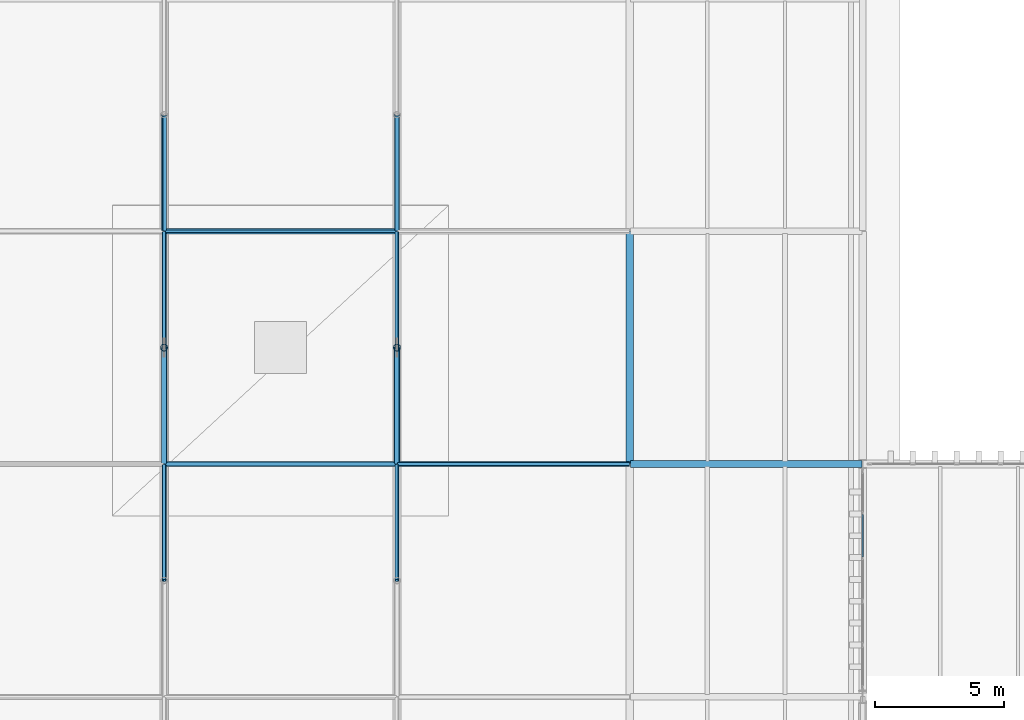
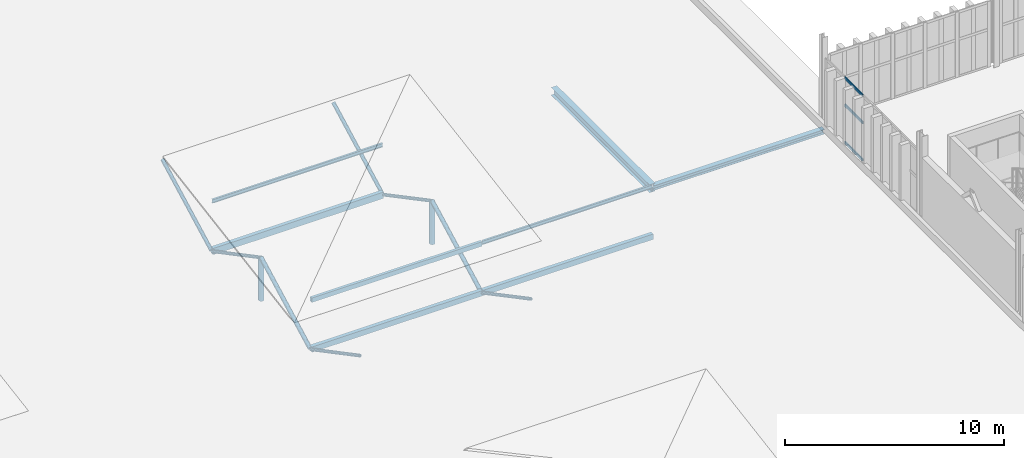
# One storey, part 96 of 196: 19 members, 2 beams, 1 element without a shape of its own.
"""IFC4 building model written with IfcOpenShell, lengths in metres."""

from ifc_helpers import new_model, si_unit, direction, frame, origin, origin_2d, place, context, subcontext, project, spatial, hollow_rectangle, hollow_circle, i_section, extrude, material, layer, layer_set, material_profile, profile_set, type_object, element, aggregate, save


model = new_model("IFC4")

# Units and contexts
model_context = context("Model", 3, precision=1e-05, world=origin(), true_north=direction((0.0, 1.0)))
body_context = subcontext(model_context, "Body", "Model", "MODEL_VIEW")
ifc_project = project(units=[si_unit("LENGTHUNIT", "METRE"), si_unit("AREAUNIT", "SQUARE_METRE"), si_unit("VOLUMEUNIT", "CUBIC_METRE"), si_unit("PLANEANGLEUNIT", "RADIAN"), si_unit("MASSUNIT", "GRAM", prefix="KILO")], contexts=[model_context])

# Site, building, storey
site_placement = place(None, origin())
site = spatial("IfcSite", under=ifc_project, at=site_placement, CompositionType="ELEMENT")
building_placement = place(site_placement, origin())
building = spatial("IfcBuilding", under=site, at=building_placement, Name="Barlavento Convention Centre", CompositionType="ELEMENT")
storey_placement = place(building_placement, frame((0.0, 0.0, 18.0)))
storey = spatial("IfcBuildingStorey", under=building, at=storey_placement, Name="L03", CompositionType="ELEMENT", Elevation=18.0)

# Curtain wall, members
ifc_material_1 = material(Name="Powder-coated aluminium and Low-E glass", Category="aluminium")
ifc_layer = layer(ifc_material_1, 0.179931640625)
ifc_layer_set = layer_set([ifc_layer], Name="ARC-CW-CONF-L03")
curtain_wall_type = type_object("IfcCurtainWallType", Name="ARC-CW-CONF-L03", PredefinedType="NOTDEFINED", material=ifc_layer_set)
curtain_wall_placement = place(storey_placement, origin())
curtain_wall = element("IfcCurtainWall", 1, at=curtain_wall_placement, inside=storey, type_object=curtain_wall_type, Name="L03 unitised curtain wall CW08", PredefinedType="NOTDEFINED")
ifc_material_2 = material(Name="Powder-coated aluminium", Category="aluminium")
ifc_material_profile_1 = material_profile(ifc_material_2, hollow_rectangle(XDim=0.06005859375, YDim=0.139892578125, WallThickness=0.00390625, at=origin_2d()), Name="AL-TRAN 60x140x4")
ifc_profile_set_1 = profile_set([ifc_material_profile_1], Name="Powder-coated aluminium")
member_type_1 = type_object("IfcMemberType", Name="ARC-CWT-60X140", PredefinedType="USERDEFINED", material=ifc_profile_set_1)
member_1_placement = place(storey_placement, frame((126.0, 95.4140625, 0.030029296875), z_axis=(0.0, 1.0, 0.0), x_axis=(-1.0, 0.0, 0.0)))
member_1 = element("IfcMember", 2, at=member_1_placement, type_object=member_type_1, Name="CW08 transom 4.1", ObjectType="TRANSOM", PredefinedType="USERDEFINED", context=body_context, shape_type="SweptSolid", body=[
    extrude(hollow_rectangle(XDim=0.06005859375, YDim=0.139892578125, WallThickness=0.00390625, at=origin_2d()), origin(), (0.0, 0.0, 1.0), 1.6279296875),
])
member_2_placement = place(storey_placement, frame((126.0, 95.4140625, 2.10009765625), z_axis=(0.0, 1.0, 0.0), x_axis=(-1.0, 0.0, 0.0)))
member_2 = element("IfcMember", 3, at=member_2_placement, type_object=member_type_1, Name="CW08 transom 4.2", ObjectType="TRANSOM", PredefinedType="USERDEFINED", context=body_context, shape_type="SweptSolid", body=[
    extrude(hollow_rectangle(XDim=0.06005859375, YDim=0.139892578125, WallThickness=0.00390625, at=origin_2d()), origin(), (0.0, 0.0, 1.0), 1.6279296875),
])
member_3_placement = place(storey_placement, frame((126.0, 95.4140625, 3.6201171875), z_axis=(0.0, 1.0, 0.0), x_axis=(-1.0, 0.0, 0.0)))
member_3 = element("IfcMember", 4, at=member_3_placement, type_object=member_type_1, Name="CW08 transom 4.3", ObjectType="TRANSOM", PredefinedType="USERDEFINED", context=body_context, shape_type="SweptSolid", body=[
    extrude(hollow_rectangle(XDim=0.06005859375, YDim=0.139892578125, WallThickness=0.00390625, at=origin_2d()), origin(), (0.0, 0.0, 1.0), 1.6279296875),
])
aggregate(curtain_wall, [member_1, member_2, member_3])

# Beams
ifc_material_3 = material(Name="Steel S355", Category="steel")
ifc_material_profile_2 = material_profile(ifc_material_3, i_section(OverallWidth=0.300048828125, OverallDepth=0.43994140625, WebThickness=0.011474609375, FlangeThickness=0.02099609375, FilletRadius=0.027099609375, at=origin_2d()), Name="HEA 450")
ifc_profile_set_2 = profile_set([ifc_material_profile_2], Name="Steel S355")
beam_type_1 = type_object("IfcBeamType", Name="STR-BM-PRI-HEA450", PredefinedType="BEAM", material=ifc_profile_set_2)
beam_1_placement = place(storey_placement, frame((117.0, 99.02001953125, -0.56494140625), z_axis=(0.0, 1.0, 0.0), x_axis=(-1.0, 0.0, 0.0)))
element("IfcBeam", 5, at=beam_1_placement, inside=storey, type_object=beam_type_1, Name="L03 grid girder BG21", PredefinedType="BEAM", context=body_context, shape_type="SweptSolid", body=[
    extrude(i_section(OverallWidth=0.300048828125, OverallDepth=0.43994140625, WebThickness=0.011474609375, FlangeThickness=0.02099609375, FilletRadius=0.027099609375, at=origin_2d()), origin(), (0.0, 0.0, 1.0), 8.9599609375),
])
ifc_material_profile_3 = material_profile(ifc_material_3, i_section(OverallWidth=0.260009765625, OverallDepth=0.260009765625, WebThickness=0.010009765625, FlangeThickness=0.017578125, FilletRadius=0.02392578125, at=origin_2d()), Name="HEB 260")
ifc_profile_set_3 = profile_set([ifc_material_profile_3], Name="Steel S355")
beam_type_2 = type_object("IfcBeamType", Name="STR-BM-PRI-HEB260", PredefinedType="BEAM", material=ifc_profile_set_3)
beam_2_placement = place(storey_placement, frame((117.02001953125, 99.0, -0.489990234375), z_axis=(1.0, 0.0, 0.0), x_axis=(0.0, 1.0, 0.0)))
element("IfcBeam", 6, at=beam_2_placement, inside=storey, type_object=beam_type_2, Name="L03 primary girder BG16", PredefinedType="BEAM", context=body_context, shape_type="SweptSolid", body=[
    extrude(i_section(OverallWidth=0.260009765625, OverallDepth=0.260009765625, WebThickness=0.010009765625, FlangeThickness=0.017578125, FilletRadius=0.02392578125, at=origin_2d()), origin(), (0.0, 0.0, 1.0), 8.9599609375),
])

# Members
ifc_material_profile_4 = material_profile(ifc_material_3, hollow_rectangle(XDim=0.199951171875, YDim=0.300048828125, WallThickness=0.012451171875, at=origin_2d()), Name="RHS 300x200x12.5")
ifc_profile_set_4 = profile_set([ifc_material_profile_4], Name="Steel S355")
member_type_2 = type_object("IfcMemberType", Name="STR-MEM-COL-RHS300", PredefinedType="COLLAR", material=ifc_profile_set_4)
for number, where, z_axis, x_axis, name in (
    (7, (99.02001953125, 99.0, -3.199951171875), (1.0, 0.0, 0.0), (0.0, 1.0, 0.0), "Exhibition space frame transverse chord"),
    (8, (108.02001953125, 99.0, -3.199951171875), (1.0, 0.0, 0.0), (0.0, 1.0, 0.0), "Exhibition space frame transverse chord"),
):
    element("IfcMember", number, at=place(storey_placement, frame(where, z_axis=z_axis, x_axis=x_axis)), inside=storey, type_object=member_type_2, Name=name, PredefinedType="COLLAR", context=body_context, shape_type="SweptSolid", body=[
        extrude(hollow_rectangle(XDim=0.199951171875, YDim=0.300048828125, WallThickness=0.012451171875, at=origin_2d()), origin(), (0.0, 0.0, 1.0), 8.9599609375),
    ])
ifc_material_profile_5 = material_profile(ifc_material_3, hollow_rectangle(XDim=0.199951171875, YDim=0.35009765625, WallThickness=0.012451171875, at=origin_2d()), Name="RHS 350x200x12.5")
ifc_profile_set_5 = profile_set([ifc_material_profile_5], Name="Steel S355")
member_type_3 = type_object("IfcMemberType", Name="STR-MEM-COL-RHS350", PredefinedType="COLLAR", material=ifc_profile_set_5)
member_4_placement = place(storey_placement, frame((99.02001953125, 108.0, -3.199951171875), z_axis=(1.0, 0.0, 0.0), x_axis=(0.0, 1.0, 0.0)))
element("IfcMember", 9, at=member_4_placement, inside=storey, type_object=member_type_3, Name="Exhibition space frame transverse chord", PredefinedType="COLLAR", context=body_context, shape_type="SweptSolid", body=[
    extrude(hollow_rectangle(XDim=0.199951171875, YDim=0.35009765625, WallThickness=0.012451171875, at=origin_2d()), origin(), (0.0, 0.0, 1.0), 8.9599609375),
])
ifc_material_profile_6 = material_profile(ifc_material_3, hollow_circle(Radius=0.084228515625, WallThickness=0.010009765625, at=origin_2d()), Name="CHS 168.3x10.0")
ifc_profile_set_6 = profile_set([ifc_material_profile_6], Name="Steel S355")
member_type_4 = type_object("IfcMemberType", Name="STR-MEM-DIAG-CHS168", PredefinedType="POST", material=ifc_profile_set_6)
for number, where, z_axis, x_axis, name in (
    (10, (99.0, 94.5, -0.84912109375), (0.0, 0.884200566707, -0.467107437144), (-1.0, 0.0, 0.0), "Exhibition space frame web diagonal"),
    (11, (99.0, 103.5, -0.84912109375), (0.0, 0.884200566707, -0.467107437144), (-1.0, 0.0, 0.0), "Exhibition space frame web diagonal"),
):
    element("IfcMember", number, at=place(storey_placement, frame(where, z_axis=z_axis, x_axis=x_axis)), inside=storey, type_object=member_type_4, Name=name, PredefinedType="POST", context=body_context, shape_type="SweptSolid", body=[
        extrude(hollow_circle(Radius=0.084228515625, WallThickness=0.010009765625, at=origin_2d()), origin(), (0.0, 0.0, 1.0), 5.03271484375),
    ])
for number, where, z_axis, x_axis, name in (
    (12, (108.0, 94.5, -0.844970703125), (0.0, 0.883859857229, -0.467751806816), (-1.0, 0.0, 0.0), "Exhibition space frame web diagonal"),
    (13, (108.0, 103.5, -0.844970703125), (0.0, 0.883859857229, -0.467751806816), (-1.0, 0.0, 0.0), "Exhibition space frame web diagonal"),
):
    element("IfcMember", number, at=place(storey_placement, frame(where, z_axis=z_axis, x_axis=x_axis)), inside=storey, type_object=member_type_4, Name=name, PredefinedType="POST", context=body_context, shape_type="SweptSolid", body=[
        extrude(hollow_circle(Radius=0.084228515625, WallThickness=0.010009765625, at=origin_2d()), origin(), (0.0, 0.0, 1.0), 5.03466796875),
    ])
ifc_material_profile_7 = material_profile(ifc_material_3, hollow_circle(Radius=0.096923828125, WallThickness=0.010009765625, at=origin_2d()), Name="CHS 193.7x10.0")
ifc_profile_set_7 = profile_set([ifc_material_profile_7], Name="Steel S355")
member_type_5 = type_object("IfcMemberType", Name="STR-MEM-DIAG-CHS193", PredefinedType="RAFTER", material=ifc_profile_set_7)
member_5_placement = place(storey_placement, frame((99.0, 108.050048828125, -3.199951171875), z_axis=(0.0, 0.884200566707, 0.467107437144), x_axis=(-1.0, 0.0, 0.0)))
element("IfcMember", 14, at=member_5_placement, inside=storey, type_object=member_type_5, Name="Exhibition space frame web diagonal", PredefinedType="RAFTER", context=body_context, shape_type="SweptSolid", body=[
    extrude(hollow_circle(Radius=0.096923828125, WallThickness=0.010009765625, at=origin_2d()), origin(), (0.0, 0.0, 1.0), 5.03271484375),
])
member_6_placement = place(storey_placement, frame((108.0, 108.050048828125, -3.199951171875), z_axis=(0.0, 0.883859857229, 0.467751806816), x_axis=(-1.0, 0.0, 0.0)))
element("IfcMember", 15, at=member_6_placement, inside=storey, type_object=member_type_5, Name="Exhibition space frame web diagonal", PredefinedType="RAFTER", context=body_context, shape_type="SweptSolid", body=[
    extrude(hollow_circle(Radius=0.096923828125, WallThickness=0.010009765625, at=origin_2d()), origin(), (0.0, 0.0, 1.0), 5.03466796875),
])
ifc_material_profile_8 = material_profile(ifc_material_3, hollow_circle(Radius=0.109619140625, WallThickness=0.012451171875, at=origin_2d()), Name="CHS 219.1x12.5")
ifc_profile_set_8 = profile_set([ifc_material_profile_8], Name="Steel S355")
member_type_6 = type_object("IfcMemberType", Name="STR-MEM-DIAG-CHS219", PredefinedType="RAFTER", material=ifc_profile_set_8)
member_7_placement = place(storey_placement, frame((99.0, 99.050048828125, -3.199951171875), z_axis=(0.0, 0.884200566707, 0.467107437144), x_axis=(-1.0, 0.0, 0.0)))
element("IfcMember", 16, at=member_7_placement, inside=storey, type_object=member_type_6, Name="Exhibition space frame web diagonal", PredefinedType="RAFTER", context=body_context, shape_type="SweptSolid", body=[
    extrude(hollow_circle(Radius=0.109619140625, WallThickness=0.012451171875, at=origin_2d()), origin(), (0.0, 0.0, 1.0), 5.03271484375),
])
member_8_placement = place(storey_placement, frame((108.0, 99.050048828125, -3.199951171875), z_axis=(0.0, 0.883859857229, 0.467751806816), x_axis=(-1.0, 0.0, 0.0)))
element("IfcMember", 17, at=member_8_placement, inside=storey, type_object=member_type_6, Name="Exhibition space frame web diagonal", PredefinedType="RAFTER", context=body_context, shape_type="SweptSolid", body=[
    extrude(hollow_circle(Radius=0.109619140625, WallThickness=0.012451171875, at=origin_2d()), origin(), (0.0, 0.0, 1.0), 5.03466796875),
])
ifc_material_profile_9 = material_profile(ifc_material_3, i_section(OverallWidth=0.10009765625, OverallDepth=0.199951171875, WebThickness=0.005615234375, FlangeThickness=0.008544921875, FilletRadius=0.011962890625, at=origin_2d()), Name="IPE 200")
ifc_profile_set_9 = profile_set([ifc_material_profile_9], Name="Steel S355")
member_type_7 = type_object("IfcMemberType", Name="STR-MEM-PUR-IPE200", PredefinedType="PURLIN", material=ifc_profile_set_9)
for number, where, z_axis, x_axis, name in (
    (18, (108.02001953125, 99.0, -0.445068359375), (1.0, 0.0, 0.0), (0.0, 1.0, 0.0), "Exhibition roof purlin"),
    (19, (99.02001953125, 108.0, -0.445068359375), (1.0, 0.0, 0.0), (0.0, 1.0, 0.0), "Exhibition roof purlin"),
):
    element("IfcMember", number, at=place(storey_placement, frame(where, z_axis=z_axis, x_axis=x_axis)), inside=storey, type_object=member_type_7, Name=name, PredefinedType="PURLIN", context=body_context, shape_type="SweptSolid", body=[
        extrude(i_section(OverallWidth=0.10009765625, OverallDepth=0.199951171875, WebThickness=0.005615234375, FlangeThickness=0.008544921875, FilletRadius=0.011962890625, at=origin_2d()), origin(), (0.0, 0.0, 1.0), 8.9599609375),
    ])
ifc_material_profile_10 = material_profile(ifc_material_3, hollow_rectangle(XDim=0.14990234375, YDim=0.25, WallThickness=0.010009765625, at=origin_2d()), Name="RHS 250x150x10.0")
ifc_profile_set_10 = profile_set([ifc_material_profile_10], Name="Steel S355")
member_type_8 = type_object("IfcMemberType", Name="STR-MEM-PUR-RHS250", PredefinedType="PURLIN", material=ifc_profile_set_10)
member_9_placement = place(storey_placement, frame((99.02001953125, 99.0, -0.469970703125), z_axis=(1.0, 0.0, 0.0), x_axis=(0.0, 1.0, 0.0)))
element("IfcMember", 20, at=member_9_placement, inside=storey, type_object=member_type_8, Name="Exhibition roof purlin", PredefinedType="PURLIN", context=body_context, shape_type="SweptSolid", body=[
    extrude(hollow_rectangle(XDim=0.14990234375, YDim=0.25, WallThickness=0.010009765625, at=origin_2d()), origin(), (0.0, 0.0, 1.0), 8.9599609375),
])
ifc_material_profile_11 = material_profile(ifc_material_3, hollow_circle(Radius=0.136474609375, WallThickness=0.012451171875, at=origin_2d()), Name="CHS 273.0x12.5")
ifc_profile_set_11 = profile_set([ifc_material_profile_11], Name="Steel S355")
member_type_9 = type_object("IfcMemberType", Name="STR-MEM-STRUT-CHS273", PredefinedType="STRUT", material=ifc_profile_set_11)
member_10_placement = place(storey_placement, frame((99.0, 103.5, -3.199951171875), z_axis=(0.0, 0.0, 1.0), x_axis=(1.0, 0.0, 0.0)))
element("IfcMember", 21, at=member_10_placement, inside=storey, type_object=member_type_9, Name="Exhibition space frame vertical strut", PredefinedType="STRUT", context=body_context, shape_type="SweptSolid", body=[
    extrude(hollow_circle(Radius=0.136474609375, WallThickness=0.012451171875, at=origin_2d()), origin(), (0.0, 0.0, 1.0), 2.350830078125),
])
member_11_placement = place(storey_placement, frame((108.0, 103.5, -3.199951171875), z_axis=(0.0, 0.0, 1.0), x_axis=(1.0, 0.0, 0.0)))
element("IfcMember", 22, at=member_11_placement, inside=storey, type_object=member_type_9, Name="Exhibition space frame vertical strut", PredefinedType="STRUT", context=body_context, shape_type="SweptSolid", body=[
    extrude(hollow_circle(Radius=0.136474609375, WallThickness=0.012451171875, at=origin_2d()), origin(), (0.0, 0.0, 1.0), 2.35498046875),
])

save(model, "model.ifc")
